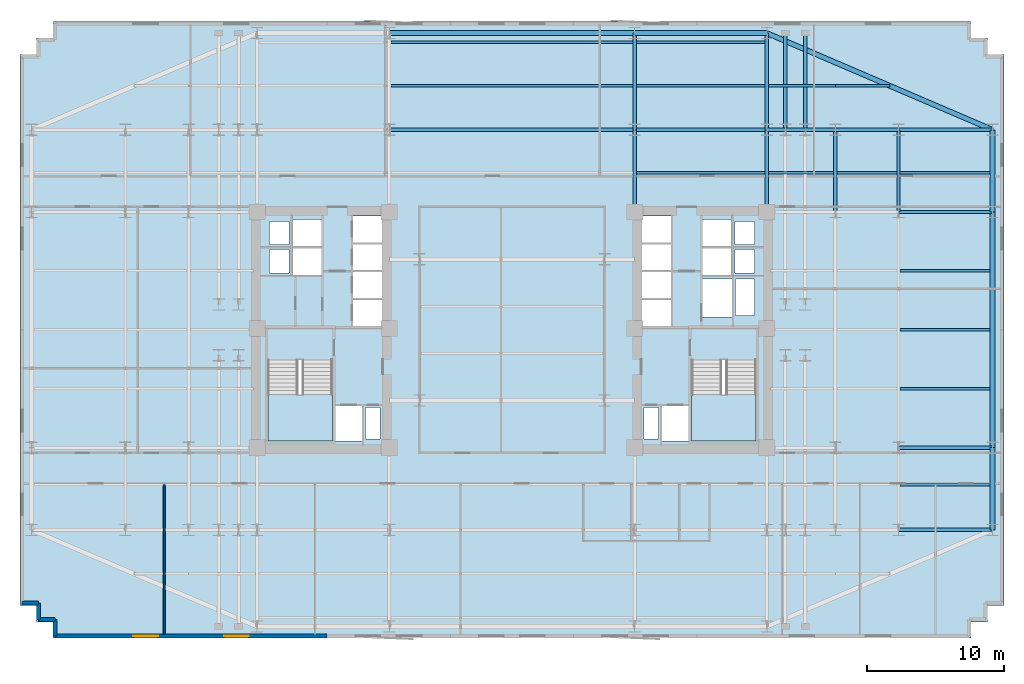
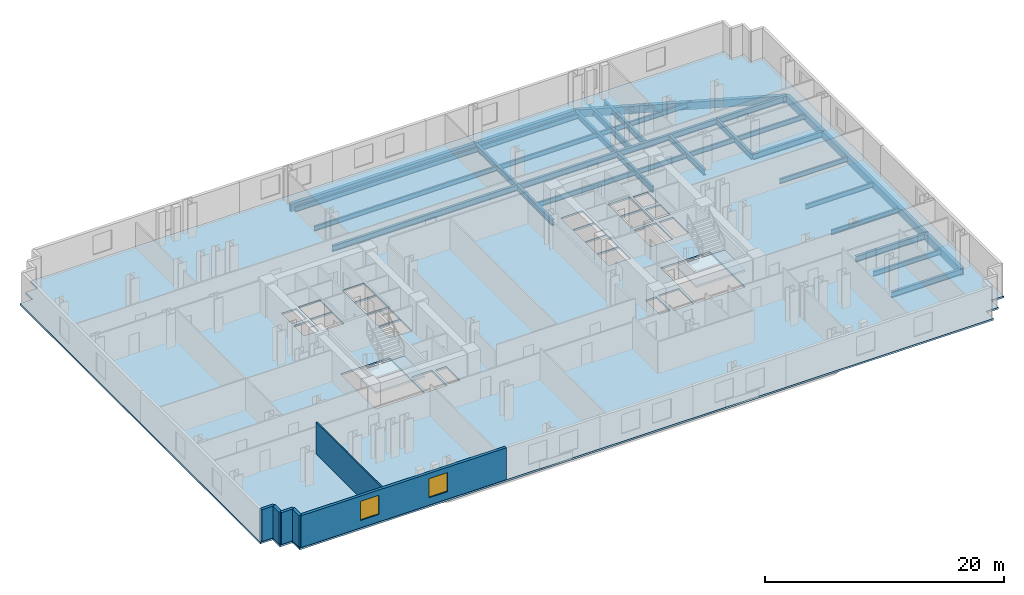
# One storey, part 3 of 10: 36 beams, 6 walls, 3 slabs, 2 windows, 2 openings, 2 elements without a shape of their own.
"""IFC4 building model written with IfcOpenShell, lengths in metres."""

from ifc_helpers import new_model, si_unit, direction, frame, frame_2d, origin, origin_2d, place, context, subcontext, project, spatial, polyline, rectangle, i_section, outline, extrude, material, layer, layer_set, material_profile, profile_set, type_object, element, fill, aggregate, save


model = new_model("IFC4")

# Units and contexts
model_context = context("Model", 3, precision=1e-05, world=origin(), true_north=direction((0.0, 1.0)))
body_context = subcontext(model_context, "Body", "Model", "MODEL_VIEW")
ifc_project = project(units=[si_unit("LENGTHUNIT", "METRE"), si_unit("AREAUNIT", "SQUARE_METRE"), si_unit("VOLUMEUNIT", "CUBIC_METRE"), si_unit("PLANEANGLEUNIT", "RADIAN"), si_unit("MASSUNIT", "GRAM", prefix="KILO")], contexts=[model_context])

# Site, building, storey
site_placement = place(None, origin())
site = spatial("IfcSite", under=ifc_project, at=site_placement, CompositionType="ELEMENT")
building_placement = place(site_placement, origin())
building = spatial("IfcBuilding", under=site, at=building_placement, Name="Velakula Bourse", CompositionType="ELEMENT")
storey_placement = place(building_placement, frame((0.0, 0.0, 45.0)))
storey = spatial("IfcBuildingStorey", under=building, at=storey_placement, Name="L11", CompositionType="ELEMENT", Elevation=45.0)

# Beams
ifc_material_1 = material(Name="Steel IS 2062 Grade 350 (E350)", Category="steel")
ifc_material_profile_1 = material_profile(ifc_material_1, i_section(OverallWidth=0.25, OverallDepth=0.60009765625, WebThickness=0.01171875, FlangeThickness=0.023681640625, at=origin_2d()), Name="Steel IS 2062 Grade 350 (E350)")
ifc_profile_set_1 = profile_set([ifc_material_profile_1], Name="Steel IS 2062 Grade 350 (E350)")
beam_type_1 = type_object("IfcBeamType", Name="BM-GRD-600H", PredefinedType="BEAM", material=ifc_profile_set_1)
for number, where, z_axis, x_axis, name in (
    (1, (8.949951171875, 8.60009765625, -0.47998046875), (0.0, 1.0, 0.0), (-1.0, 0.0, 0.0), "L11 Fulcrum Grid Girder FLC-ECN"),
    (2, (18.60009765625, 8.60009765625, -0.47998046875), (0.0, 1.0, 0.0), (-1.0, 0.0, 0.0), "L11 Fulcrum Grid Girder FLC-EN"),
):
    element("IfcBeam", number, at=place(storey_placement, frame(where, z_axis=z_axis, x_axis=x_axis)), inside=storey, type_object=beam_type_1, Name=name, PredefinedType="BEAM", context=body_context, shape_type="SweptSolid", body=[
        extrude(i_section(OverallWidth=0.25, OverallDepth=0.60009765625, WebThickness=0.01171875, FlangeThickness=0.023681640625, at=origin_2d()), origin(), (0.0, 0.0, 1.0), 6.0),
    ])
beam_1_placement = place(storey_placement, frame((-8.949951171875, 14.60009765625, -0.47998046875), z_axis=(1.0, 0.0, 0.0), x_axis=(0.0, 1.0, 0.0)))
element("IfcBeam", 3, at=beam_1_placement, inside=storey, type_object=beam_type_1, Name="L11 Fulcrum Grid Girder FLC-N2", PredefinedType="BEAM", context=body_context, shape_type="SweptSolid", body=[
    extrude(i_section(OverallWidth=0.25, OverallDepth=0.60009765625, WebThickness=0.01171875, FlangeThickness=0.023681640625, at=origin_2d()), origin(), (0.0, 0.0, 1.0), 17.89990234375),
])
beam_2_placement = place(storey_placement, frame((8.949951171875, 14.60009765625, -0.47998046875), z_axis=(1.0, 0.0, 0.0), x_axis=(0.0, 1.0, 0.0)))
element("IfcBeam", 4, at=beam_2_placement, inside=storey, type_object=beam_type_1, Name="L11 Fulcrum Grid Girder FLC-N3", PredefinedType="BEAM", context=body_context, shape_type="SweptSolid", body=[
    extrude(i_section(OverallWidth=0.25, OverallDepth=0.60009765625, WebThickness=0.01171875, FlangeThickness=0.023681640625, at=origin_2d()), origin(), (0.0, 0.0, 1.0), 9.650146484375),
])
beam_3_placement = place(storey_placement, frame((18.60009765625, 14.60009765625, -0.47998046875), z_axis=(1.0, 0.0, 0.0), x_axis=(0.0, 1.0, 0.0)))
element("IfcBeam", 5, at=beam_3_placement, inside=storey, type_object=beam_type_1, Name="L11 Fulcrum Grid Girder MWG-EN2", PredefinedType="BEAM", context=body_context, shape_type="SweptSolid", body=[
    extrude(i_section(OverallWidth=0.25, OverallDepth=0.60009765625, WebThickness=0.01171875, FlangeThickness=0.023681640625, at=origin_2d()), origin(), (0.0, 0.0, 1.0), 5.0),
])
beam_4_placement = place(storey_placement, frame((23.60009765625, 8.60009765625, -0.47998046875), z_axis=(0.0, 1.0, 0.0), x_axis=(-1.0, 0.0, 0.0)))
element("IfcBeam", 6, at=beam_4_placement, inside=storey, type_object=beam_type_1, Name="L11 Fulcrum Grid Girder MWG-ENS3", PredefinedType="BEAM", context=body_context, shape_type="SweptSolid", body=[
    extrude(i_section(OverallWidth=0.25, OverallDepth=0.60009765625, WebThickness=0.01171875, FlangeThickness=0.023681640625, at=origin_2d()), origin(), (0.0, 0.0, 1.0), 6.0),
])
beam_5_placement = place(storey_placement, frame((23.60009765625, 14.60009765625, -0.47998046875), z_axis=(1.0, 0.0, 0.0), x_axis=(0.0, 1.0, 0.0)))
element("IfcBeam", 7, at=beam_5_placement, inside=storey, type_object=beam_type_1, Name="L11 Fulcrum Grid Girder WNG-EN2", PredefinedType="BEAM", context=body_context, shape_type="SweptSolid", body=[
    extrude(i_section(OverallWidth=0.25, OverallDepth=0.60009765625, WebThickness=0.01171875, FlangeThickness=0.023681640625, at=origin_2d()), origin(), (0.0, 0.0, 1.0), 4.599853515625),
])
beam_6_placement = place(storey_placement, frame((28.199951171875, 8.60009765625, -0.47998046875), z_axis=(0.0, 1.0, 0.0), x_axis=(-1.0, 0.0, 0.0)))
element("IfcBeam", 8, at=beam_6_placement, inside=storey, type_object=beam_type_1, Name="L11 Fulcrum Grid Girder WNG-ENS3", PredefinedType="BEAM", context=body_context, shape_type="SweptSolid", body=[
    extrude(i_section(OverallWidth=0.25, OverallDepth=0.60009765625, WebThickness=0.01171875, FlangeThickness=0.023681640625, at=origin_2d()), origin(), (0.0, 0.0, 1.0), 6.0),
])
for number, where, z_axis, x_axis, name in (
    (9, (8.949951171875, 14.60009765625, -0.47998046875), (0.0, 1.0, 0.0), (-1.0, 0.0, 0.0), "L11 Perimeter Tie Girder N3"),
    (10, (18.60009765625, 14.60009765625, -0.47998046875), (0.0, 1.0, 0.0), (-1.0, 0.0, 0.0), "L11 Perimeter Tie Girder N4"),
):
    element("IfcBeam", number, at=place(storey_placement, frame(where, z_axis=z_axis, x_axis=x_axis)), inside=storey, type_object=beam_type_1, Name=name, PredefinedType="BEAM", context=body_context, shape_type="SweptSolid", body=[
        extrude(i_section(OverallWidth=0.25, OverallDepth=0.60009765625, WebThickness=0.01171875, FlangeThickness=0.023681640625, at=origin_2d()), origin(), (0.0, 0.0, 1.0), 7.0498046875),
    ])
for number, where, z_axis, x_axis, name in (
    (11, (28.199951171875, -14.60009765625, -0.47998046875), (1.0, 0.0, 0.0), (0.0, 1.0, 0.0), "L11 Perimeter Tie Girder E1"),
    (12, (28.199951171875, -8.60009765625, -0.47998046875), (1.0, 0.0, 0.0), (0.0, 1.0, 0.0), "L11 Perimeter Tie Girder E2"),
    (13, (28.199951171875, 8.60009765625, -0.47998046875), (1.0, 0.0, 0.0), (0.0, 1.0, 0.0), "L11 Perimeter Tie Girder E3"),
    (14, (28.199951171875, 14.60009765625, -0.47998046875), (1.0, 0.0, 0.0), (0.0, 1.0, 0.0), "L11 Perimeter Tie Girder E4"),
):
    element("IfcBeam", number, at=place(storey_placement, frame(where, z_axis=z_axis, x_axis=x_axis)), inside=storey, type_object=beam_type_1, Name=name, PredefinedType="BEAM", context=body_context, shape_type="SweptSolid", body=[
        extrude(i_section(OverallWidth=0.25, OverallDepth=0.60009765625, WebThickness=0.01171875, FlangeThickness=0.023681640625, at=origin_2d()), origin(), (0.0, 0.0, 1.0), 6.85009765625),
    ])
for number, where, z_axis, x_axis, name in (
    (15, (19.949951171875, 14.60009765625, -0.47998046875), (0.0, 1.0, 0.0), (-1.0, 0.0, 0.0), "L11 Perimeter Tie Girder P07"),
    (16, (21.39990234375, 14.60009765625, -0.47998046875), (0.0, 1.0, 0.0), (-1.0, 0.0, 0.0), "L11 Perimeter Tie Girder P08"),
):
    element("IfcBeam", number, at=place(storey_placement, frame(where, z_axis=z_axis, x_axis=x_axis)), inside=storey, type_object=beam_type_1, Name=name, PredefinedType="BEAM", context=body_context, shape_type="SweptSolid", body=[
        extrude(i_section(OverallWidth=0.25, OverallDepth=0.60009765625, WebThickness=0.01171875, FlangeThickness=0.023681640625, at=origin_2d()), origin(), (0.0, 0.0, 1.0), 7.0498046875),
    ])
ifc_material_profile_2 = material_profile(ifc_material_1, i_section(OverallWidth=0.179931640625, OverallDepth=0.5, WebThickness=0.01025390625, FlangeThickness=0.01708984375, at=origin_2d()), Name="Steel IS 2062 Grade 350 (E350)")
ifc_profile_set_2 = profile_set([ifc_material_profile_2], Name="Steel IS 2062 Grade 350 (E350)")
beam_type_2 = type_object("IfcBeamType", Name="JST-TWR-500", PredefinedType="JOIST", material=ifc_profile_set_2)
beam_7_placement = place(storey_placement, frame((28.324951171875, -11.300048828125, -0.429931640625), z_axis=(1.0, 0.0, 0.0), x_axis=(0.0, 1.0, 0.0)))
element("IfcBeam", 17, at=beam_7_placement, inside=storey, type_object=beam_type_2, Name="L11 Trading Floor Composite Joist 19", PredefinedType="JOIST", context=body_context, shape_type="SweptSolid", body=[
    extrude(i_section(OverallWidth=0.179931640625, OverallDepth=0.5, WebThickness=0.01025390625, FlangeThickness=0.01708984375, at=origin_2d()), origin(), (0.0, 0.0, 1.0), 6.550048828125),
])
beam_8_placement = place(storey_placement, frame((9.074951171875, 11.449951171875, -0.429931640625), z_axis=(1.0, 0.0, 0.0), x_axis=(0.0, 1.0, 0.0)))
element("IfcBeam", 18, at=beam_8_placement, inside=storey, type_object=beam_type_2, Name="L11 Trading Floor Composite Joist 25", PredefinedType="JOIST", context=body_context, shape_type="SweptSolid", body=[
    extrude(i_section(OverallWidth=0.179931640625, OverallDepth=0.5, WebThickness=0.01025390625, FlangeThickness=0.01708984375, at=origin_2d()), origin(), (0.0, 0.0, 1.0), 9.400146484375),
])
beam_9_placement = place(storey_placement, frame((18.72509765625, 11.449951171875, -0.429931640625), z_axis=(1.0, 0.0, 0.0), x_axis=(0.0, 1.0, 0.0)))
element("IfcBeam", 19, at=beam_9_placement, inside=storey, type_object=beam_type_2, Name="L11 Trading Floor Composite Joist 26", PredefinedType="JOIST", context=body_context, shape_type="SweptSolid", body=[
    extrude(i_section(OverallWidth=0.179931640625, OverallDepth=0.5, WebThickness=0.01025390625, FlangeThickness=0.01708984375, at=origin_2d()), origin(), (0.0, 0.0, 1.0), 4.75),
])
beam_10_placement = place(storey_placement, frame((23.72509765625, 11.449951171875, -0.429931640625), z_axis=(1.0, 0.0, 0.0), x_axis=(0.0, 1.0, 0.0)))
element("IfcBeam", 20, at=beam_10_placement, inside=storey, type_object=beam_type_2, Name="L11 Trading Floor Composite Joist 27", PredefinedType="JOIST", context=body_context, shape_type="SweptSolid", body=[
    extrude(i_section(OverallWidth=0.179931640625, OverallDepth=0.5, WebThickness=0.01025390625, FlangeThickness=0.01708984375, at=origin_2d()), origin(), (0.0, 0.0, 1.0), 4.349853515625),
])
beam_11_placement = place(storey_placement, frame((28.324951171875, 11.449951171875, -0.429931640625), z_axis=(1.0, 0.0, 0.0), x_axis=(0.0, 1.0, 0.0)))
element("IfcBeam", 21, at=beam_11_placement, inside=storey, type_object=beam_type_2, Name="L11 Trading Floor Composite Joist 28", PredefinedType="JOIST", context=body_context, shape_type="SweptSolid", body=[
    extrude(i_section(OverallWidth=0.179931640625, OverallDepth=0.5, WebThickness=0.01025390625, FlangeThickness=0.01708984375, at=origin_2d()), origin(), (0.0, 0.0, 1.0), 6.550048828125),
])
beam_12_placement = place(storey_placement, frame((-8.824951171875, 17.800048828125, -0.429931640625), z_axis=(1.0, 0.0, 0.0), x_axis=(0.0, 1.0, 0.0)))
element("IfcBeam", 22, at=beam_12_placement, inside=storey, type_object=beam_type_2, Name="L11 Trading Floor Composite Joist 32", PredefinedType="JOIST", context=body_context, shape_type="SweptSolid", body=[
    extrude(i_section(OverallWidth=0.179931640625, OverallDepth=0.5, WebThickness=0.01025390625, FlangeThickness=0.01708984375, at=origin_2d()), origin(), (0.0, 0.0, 1.0), 17.64990234375),
])
beam_13_placement = place(storey_placement, frame((9.074951171875, 17.800048828125, -0.429931640625), z_axis=(1.0, 0.0, 0.0), x_axis=(0.0, 1.0, 0.0)))
element("IfcBeam", 23, at=beam_13_placement, inside=storey, type_object=beam_type_2, Name="L11 Trading Floor Composite Joist 33", PredefinedType="JOIST", context=body_context, shape_type="SweptSolid", body=[
    extrude(i_section(OverallWidth=0.179931640625, OverallDepth=0.5, WebThickness=0.01025390625, FlangeThickness=0.01708984375, at=origin_2d()), origin(), (0.0, 0.0, 1.0), 9.400146484375),
])
beam_14_placement = place(storey_placement, frame((18.72509765625, 17.800048828125, -0.429931640625), z_axis=(1.0, 0.0, 0.0), x_axis=(0.0, 1.0, 0.0)))
element("IfcBeam", 24, at=beam_14_placement, inside=storey, type_object=beam_type_2, Name="L11 Trading Floor Composite Joist 34", PredefinedType="JOIST", context=body_context, shape_type="SweptSolid", body=[
    extrude(i_section(OverallWidth=0.179931640625, OverallDepth=0.5, WebThickness=0.01025390625, FlangeThickness=0.01708984375, at=origin_2d()), origin(), (0.0, 0.0, 1.0), 4.875),
])
beam_15_placement = place(storey_placement, frame((23.60009765625, 17.800048828125, -0.429931640625), z_axis=(1.0, 0.0, 0.0), x_axis=(0.0, 1.0, 0.0)))
element("IfcBeam", 25, at=beam_15_placement, inside=storey, type_object=beam_type_2, Name="L11 Trading Floor Composite Joist 35", PredefinedType="JOIST", context=body_context, shape_type="SweptSolid", body=[
    extrude(i_section(OverallWidth=0.179931640625, OverallDepth=0.5, WebThickness=0.01025390625, FlangeThickness=0.01708984375, at=origin_2d()), origin(), (0.0, 0.0, 1.0), 3.983154296875),
])
beam_16_placement = place(storey_placement, frame((-8.824951171875, 21.0, -0.429931640625), z_axis=(1.0, 0.0, 0.0), x_axis=(0.0, 1.0, 0.0)))
element("IfcBeam", 26, at=beam_16_placement, inside=storey, type_object=beam_type_2, Name="L11 Trading Floor Composite Joist 37", PredefinedType="JOIST", context=body_context, shape_type="SweptSolid", body=[
    extrude(i_section(OverallWidth=0.179931640625, OverallDepth=0.5, WebThickness=0.01025390625, FlangeThickness=0.01708984375, at=origin_2d()), origin(), (0.0, 0.0, 1.0), 17.64990234375),
])
beam_17_placement = place(storey_placement, frame((9.074951171875, 21.0, -0.429931640625), z_axis=(1.0, 0.0, 0.0), x_axis=(0.0, 1.0, 0.0)))
element("IfcBeam", 27, at=beam_17_placement, inside=storey, type_object=beam_type_2, Name="L11 Trading Floor Composite Joist 38", PredefinedType="JOIST", context=body_context, shape_type="SweptSolid", body=[
    extrude(i_section(OverallWidth=0.179931640625, OverallDepth=0.5, WebThickness=0.01025390625, FlangeThickness=0.01708984375, at=origin_2d()), origin(), (0.0, 0.0, 1.0), 9.400146484375),
])
for number, where, z_axis, x_axis, name in (
    (28, (28.324951171875, -4.300048828125, -0.429931640625), (1.0, 0.0, 0.0), (0.0, 1.0, 0.0), "L11 Trading Floor Composite Joist 46"),
    (29, (28.324951171875, 0.0, -0.429931640625), (1.0, 0.0, 0.0), (0.0, 1.0, 0.0), "L11 Trading Floor Composite Joist 52"),
    (30, (28.324951171875, 4.300048828125, -0.429931640625), (1.0, 0.0, 0.0), (0.0, 1.0, 0.0), "L11 Trading Floor Composite Joist 58"),
):
    element("IfcBeam", number, at=place(storey_placement, frame(where, z_axis=z_axis, x_axis=x_axis)), inside=storey, type_object=beam_type_2, Name=name, PredefinedType="JOIST", context=body_context, shape_type="SweptSolid", body=[
        extrude(i_section(OverallWidth=0.179931640625, OverallDepth=0.5, WebThickness=0.01025390625, FlangeThickness=0.01708984375, at=origin_2d()), origin(), (0.0, 0.0, 1.0), 6.550048828125),
    ])
ifc_material_2 = material(Name="Precast concrete M45 (fck 45 MPa)", Category="concrete")
ifc_material_profile_3 = material_profile(ifc_material_2, rectangle(XDim=0.35009765625, YDim=0.75, at=origin_2d()), Name="Precast concrete M45 (fck 45 MPa)")
ifc_profile_set_3 = profile_set([ifc_material_profile_3], Name="Precast concrete M45 (fck 45 MPa)")
beam_type_3 = type_object("IfcBeamType", Name="SPN-BRICK-750", PredefinedType="SPANDREL", material=ifc_profile_set_3)
beam_18_placement = place(storey_placement, frame((-8.949951171875, 21.64990234375, -0.554931640625), z_axis=(1.0, 0.0, 0.0), x_axis=(0.0, 1.0, 0.0)))
element("IfcBeam", 31, at=beam_18_placement, inside=storey, type_object=beam_type_3, Name="L11 Brick-Faced Precast Spandrel N2-N3", PredefinedType="SPANDREL", context=body_context, shape_type="SweptSolid", body=[
    extrude(rectangle(XDim=0.35009765625, YDim=0.75, at=origin_2d()), origin(), (0.0, 0.0, 1.0), 17.89990234375),
])
beam_19_placement = place(storey_placement, frame((8.949951171875, 21.64990234375, -0.554931640625), z_axis=(1.0, 0.0, 0.0), x_axis=(0.0, 1.0, 0.0)))
element("IfcBeam", 32, at=beam_19_placement, inside=storey, type_object=beam_type_3, Name="L11 Brick-Faced Precast Spandrel N3-N4", PredefinedType="SPANDREL", context=body_context, shape_type="SweptSolid", body=[
    extrude(rectangle(XDim=0.35009765625, YDim=0.75, at=origin_2d()), origin(), (0.0, 0.0, 1.0), 9.650146484375),
])
beam_20_placement = place(storey_placement, frame((35.050048828125, -14.60009765625, -0.554931640625), z_axis=(0.0, 1.0, 0.0), x_axis=(-1.0, 0.0, 0.0)))
element("IfcBeam", 33, at=beam_20_placement, inside=storey, type_object=beam_type_3, Name="L11 Brick-Faced Precast Spandrel E1-E2", PredefinedType="SPANDREL", context=body_context, shape_type="SweptSolid", body=[
    extrude(rectangle(XDim=0.35009765625, YDim=0.75, at=origin_2d()), origin(), (0.0, 0.0, 1.0), 6.0),
])
beam_21_placement = place(storey_placement, frame((35.050048828125, -8.60009765625, -0.554931640625), z_axis=(0.0, 1.0, 0.0), x_axis=(-1.0, 0.0, 0.0)))
element("IfcBeam", 34, at=beam_21_placement, inside=storey, type_object=beam_type_3, Name="L11 Brick-Faced Precast Spandrel E2-E3", PredefinedType="SPANDREL", context=body_context, shape_type="SweptSolid", body=[
    extrude(rectangle(XDim=0.35009765625, YDim=0.75, at=origin_2d()), origin(), (0.0, 0.0, 1.0), 17.2001953125),
])
beam_22_placement = place(storey_placement, frame((35.050048828125, 8.60009765625, -0.554931640625), z_axis=(0.0, 1.0, 0.0), x_axis=(-1.0, 0.0, 0.0)))
element("IfcBeam", 35, at=beam_22_placement, inside=storey, type_object=beam_type_3, Name="L11 Brick-Faced Precast Spandrel E3-E4", PredefinedType="SPANDREL", context=body_context, shape_type="SweptSolid", body=[
    extrude(rectangle(XDim=0.35009765625, YDim=0.75, at=origin_2d()), origin(), (0.0, 0.0, 1.0), 6.0),
])
beam_23_placement = place(storey_placement, frame((35.050048828125, 14.60009765625, -0.554931640625), z_axis=(-0.919148557947, 0.393911066642, 0.0), x_axis=(-0.393911066642, -0.919148557947, 0.0)))
element("IfcBeam", 36, at=beam_23_placement, inside=storey, type_object=beam_type_3, Name="L11 Brick-Faced Precast Spandrel E4-N4", PredefinedType="SPANDREL", context=body_context, shape_type="SweptSolid", body=[
    extrude(rectangle(XDim=0.35009765625, YDim=0.75, at=origin_2d()), origin(), (0.0, 0.0, 1.0), 17.89697265625),
])

# Stair, slab
ifc_material_3 = material(Name="Concrete M45 (fck 45 MPa)", Category="concrete")
stair_type = type_object("IfcStairType", Name="STR-DOG-390", PredefinedType="HALF_TURN_STAIR", material=ifc_material_3)
stair_1_placement = place(storey_placement, origin())
stair_1 = element("IfcStair", 37, at=stair_1_placement, inside=storey, type_object=stair_type, Name="L11 West Core Exit Stair ST-W1", PredefinedType="HALF_TURN_STAIR")
ifc_layer_1 = layer(ifc_material_3, 0.199951171875, Name="Concrete M45 (fck 45 MPa)", Category="concrete")
ifc_layer_set_1 = layer_set([ifc_layer_1], Name="Concrete M45 (fck 45 MPa)")
slab_type_1 = type_object("IfcSlabType", Name="SLB-STAIR-LND-200", PredefinedType="LANDING", material=ifc_layer_set_1)
slab_1_placement = place(storey_placement, frame((0.0, 0.0, 1.52490234375)))
slab_1 = element("IfcSlab", 38, at=slab_1_placement, type_object=slab_type_1, Name="ST-W1 landing 1", PredefinedType="LANDING", context=body_context, shape_type="SweptSolid", body=[
    extrude(outline(polyline([(-17.820068359375, -4.719970703125), (-17.820068359375, -8.10009765625), (-13.10009765625, -8.10009765625), (-13.10009765625, -4.719970703125), (-17.820068359375, -4.719970703125)])), origin(), (0.0, 0.0, 1.0), 0.2001953125),
])
aggregate(stair_1, [slab_1])

stair_2_placement = place(storey_placement, origin())
stair_2 = element("IfcStair", 39, at=stair_2_placement, inside=storey, type_object=stair_type, Name="L11 East Core Exit Stair ST-E1", PredefinedType="HALF_TURN_STAIR")
slab_2_placement = place(storey_placement, frame((0.0, 0.0, 1.52490234375)))
slab_2 = element("IfcSlab", 40, at=slab_2_placement, type_object=slab_type_1, Name="ST-E1 landing 1", PredefinedType="LANDING", context=body_context, shape_type="SweptSolid", body=[
    extrude(outline(polyline([(13.10009765625, -4.719970703125), (13.10009765625, -8.10009765625), (17.820068359375, -8.10009765625), (17.820068359375, -4.719970703125), (13.10009765625, -4.719970703125)])), origin(), (0.0, 0.0, 1.0), 0.2001953125),
])
aggregate(stair_2, [slab_2])

# Slab
ifc_material_4 = material(Name="Concrete M50 (fck 50 MPa)", Category="concrete")
ifc_layer_2 = layer(ifc_material_4, 0.179931640625, Name="Concrete M50 (fck 50 MPa)", Category="concrete")
ifc_layer_set_2 = layer_set([ifc_layer_2], Name="Concrete M50 (fck 50 MPa)")
slab_type_2 = type_object("IfcSlabType", Name="SLB-TWR-180", PredefinedType="FLOOR", material=ifc_layer_set_2)
slab_3_placement = place(storey_placement, frame((0.0, 0.0, -0.179931640625)))
element("IfcSlab", 41, at=slab_3_placement, inside=storey, type_object=slab_type_2, Name="L11 Suspended Structural Floor Slab", PredefinedType="FLOOR", context=body_context, shape_type="SweptSolid", body=[
    extrude(outline(polyline([(-33.5, -22.5), (33.5, -22.5), (33.5, -21.300048828125), (34.699951171875, -21.300048828125), (34.699951171875, -20.10009765625), (35.89990234375, -20.10009765625), (35.89990234375, 20.10009765625), (34.699951171875, 20.10009765625), (34.699951171875, 21.300048828125), (33.5, 21.300048828125), (33.5, 22.5), (-33.5, 22.5), (-33.5, 21.300048828125), (-34.699951171875, 21.300048828125), (-34.699951171875, 20.10009765625), (-35.89990234375, 20.10009765625), (-35.89990234375, -20.10009765625), (-34.699951171875, -20.10009765625), (-34.699951171875, -21.300048828125), (-33.5, -21.300048828125), (-33.5, -22.5)]), holes=[polyline([(-17.820068359375, -8.10009765625), (-13.10009765625, -8.10009765625), (-13.10009765625, -2.199951171875), (-17.820068359375, -2.199951171875), (-17.820068359375, -8.10009765625)]), polyline([(13.10009765625, -8.10009765625), (17.820068359375, -8.10009765625), (17.820068359375, -2.199951171875), (13.10009765625, -2.199951171875), (13.10009765625, -8.10009765625)]), polyline([(-12.89990234375, -8.10009765625), (-10.949951171875, -8.10009765625), (-10.949951171875, -5.550048828125), (-12.89990234375, -5.550048828125), (-12.89990234375, -8.10009765625)]), polyline([(10.949951171875, -8.10009765625), (12.89990234375, -8.10009765625), (12.89990234375, -5.550048828125), (10.949951171875, -5.550048828125), (10.949951171875, -8.10009765625)]), polyline([(13.89990234375, 0.919921875), (16.050048828125, 0.919921875), (16.050048828125, 3.719970703125), (13.89990234375, 3.719970703125), (13.89990234375, 0.919921875)]), polyline([(-10.679931640625, -7.97998046875), (-9.6201171875, -7.97998046875), (-9.6201171875, -5.669921875), (-10.679931640625, -5.669921875), (-10.679931640625, -7.97998046875)]), polyline([(-17.679931640625, 4.139892578125), (-16.27001953125, 4.139892578125), (-16.27001953125, 5.85009765625), (-17.679931640625, 5.85009765625), (-17.679931640625, 4.139892578125)]), polyline([(-17.679931640625, 6.2099609375), (-16.27001953125, 6.2099609375), (-16.27001953125, 7.919921875), (-17.679931640625, 7.919921875), (-17.679931640625, 6.2099609375)]), polyline([(9.6201171875, -7.97998046875), (10.679931640625, -7.97998046875), (10.679931640625, -5.669921875), (9.6201171875, -5.669921875), (9.6201171875, -7.97998046875)]), polyline([(16.27001953125, 4.139892578125), (17.679931640625, 4.139892578125), (17.679931640625, 5.85009765625), (16.27001953125, 5.85009765625), (16.27001953125, 4.139892578125)]), polyline([(16.27001953125, 6.2099609375), (17.679931640625, 6.2099609375), (17.679931640625, 7.919921875), (16.27001953125, 7.919921875), (16.27001953125, 6.2099609375)]), polyline([(16.320068359375, 1.0400390625), (17.679931640625, 1.0400390625), (17.679931640625, 3.699951171875), (16.320068359375, 3.699951171875), (16.320068359375, 1.0400390625)]), polyline([(-11.60009765625, 0.280029296875), (-9.5, 0.280029296875), (-9.5, 2.199951171875), (-11.60009765625, 2.199951171875), (-11.60009765625, 0.280029296875)]), polyline([(-11.60009765625, 2.31005859375), (-9.5, 2.31005859375), (-9.5, 4.22998046875), (-11.60009765625, 4.22998046875), (-11.60009765625, 2.31005859375)]), polyline([(-11.60009765625, 4.340087890625), (-9.5, 4.340087890625), (-9.5, 6.260009765625), (-11.60009765625, 6.260009765625), (-11.60009765625, 4.340087890625)]), polyline([(-11.60009765625, 6.3701171875), (-9.5, 6.3701171875), (-9.5, 8.2900390625), (-11.60009765625, 8.2900390625), (-11.60009765625, 6.3701171875)]), polyline([(9.5, 0.280029296875), (11.60009765625, 0.280029296875), (11.60009765625, 2.199951171875), (9.5, 2.199951171875), (9.5, 0.280029296875)]), polyline([(9.5, 2.31005859375), (11.60009765625, 2.31005859375), (11.60009765625, 4.22998046875), (9.5, 4.22998046875), (9.5, 2.31005859375)]), polyline([(9.5, 4.340087890625), (11.60009765625, 4.340087890625), (11.60009765625, 6.260009765625), (9.5, 6.260009765625), (9.5, 4.340087890625)]), polyline([(9.5, 6.3701171875), (11.60009765625, 6.3701171875), (11.60009765625, 8.2900390625), (9.5, 8.2900390625), (9.5, 6.3701171875)]), polyline([(-16.0, 4.02001953125), (-13.89990234375, 4.02001953125), (-13.89990234375, 5.969970703125), (-16.0, 5.969970703125), (-16.0, 4.02001953125)]), polyline([(-16.0, 6.090087890625), (-13.89990234375, 6.090087890625), (-13.89990234375, 8.0400390625), (-16.0, 8.0400390625), (-16.0, 6.090087890625)]), polyline([(13.89990234375, 4.02001953125), (16.0, 4.02001953125), (16.0, 5.969970703125), (13.89990234375, 5.969970703125), (13.89990234375, 4.02001953125)]), polyline([(13.89990234375, 6.090087890625), (16.0, 6.090087890625), (16.0, 8.0400390625), (13.89990234375, 8.0400390625), (13.89990234375, 6.090087890625)])]), origin(), (0.0, 0.0, 1.0), 0.179931640625),
])

# Wall, openings, windows
ifc_material_5 = material(Name="Red kilned clay facing brick masonry", Category="masonry")
ifc_layer_3 = layer(ifc_material_5, 0.280029296875, Name="Red kilned clay facing brick masonry", Category="masonry")
ifc_layer_set_3 = layer_set([ifc_layer_3], Name="Red kilned clay facing brick masonry")
wall_type_1 = type_object("IfcWallType", Name="WL-EXT-BRK-280", PredefinedType="STANDARD", material=ifc_layer_set_3)
wall_1_placement = place(storey_placement, frame((-13.5, -22.340087890625, 0.0), z_axis=(0.0, 0.0, 1.0), x_axis=(-1.0, 0.0, 0.0)))
wall_1 = element("IfcWall", 42, at=wall_1_placement, inside=storey, type_object=wall_type_1, Name="L11 S Brick Spandrel Wall B1", PredefinedType="STANDARD", context=body_context, shape_type="SweptSolid", body=[
    extrude(rectangle(XDim=19.840087890625, YDim=0.280029296875, at=frame_2d((9.919921875, 0.0))), origin(), (0.0, 0.0, 1.0), 3.25),
])
opening_1_placement = place(wall_1_placement, frame((5.71337890625, 0.0, 0.760009765625)))
opening_1 = element("IfcOpeningElement", 43, at=opening_1_placement, cuts=wall_1, Name="Opening W-01", PredefinedType="OPENING", context=body_context, shape_type="SweptSolid", body=[
    extrude(rectangle(XDim=1.800048828125, YDim=1.949951171875, at=frame_2d((0.89990234375, 0.97509765625))), frame((0.0, 0.14990234375, 0.0), z_axis=(0.0, -1.0, 0.0), x_axis=(1.0, 0.0, 0.0)), (0.0, 0.0, 1.0), 0.300048828125),
])
opening_2_placement = place(wall_1_placement, frame((12.32666015625, 0.0, 0.760009765625)))
opening_2 = element("IfcOpeningElement", 44, at=opening_2_placement, cuts=wall_1, Name="Opening W-01", PredefinedType="OPENING", context=body_context, shape_type="SweptSolid", body=[
    extrude(rectangle(XDim=1.800048828125, YDim=1.949951171875, at=frame_2d((0.89990234375, 0.97509765625))), frame((0.0, 0.14990234375, 0.0), z_axis=(0.0, -1.0, 0.0), x_axis=(1.0, 0.0, 0.0)), (0.0, 0.0, 1.0), 0.300048828125),
])
ifc_material_6 = material(Name="Double-glazed solar-control Low-E glass", Category="glass")
window_type = type_object("IfcWindowType", Name="WIN-TWR-1800x2100", PartitioningType="SINGLE_PANEL", PredefinedType="WINDOW", material=ifc_material_6)
window_1_placement = place(opening_1_placement, origin())
window_1 = element("IfcWindow", 45, at=window_1_placement, inside=storey, type_object=window_type, Name="L11 Deep-Set Recessed Window 1", OverallHeight=1.949951171875, OverallWidth=1.800048828125, PartitioningType="SINGLE_PANEL", PredefinedType="WINDOW", context=body_context, shape_type="SweptSolid", body=[
    extrude(rectangle(XDim=1.800048828125, YDim=1.949951171875, at=frame_2d((0.89990234375, 0.97509765625))), frame((0.0, 0.030029296875, 0.0), z_axis=(0.0, -1.0, 0.0), x_axis=(1.0, 0.0, 0.0)), (0.0, 0.0, 1.0), 0.06005859375),
])
fill(opening_1, window_1)
window_2_placement = place(opening_2_placement, origin())
window_2 = element("IfcWindow", 46, at=window_2_placement, inside=storey, type_object=window_type, Name="L11 Deep-Set Recessed Window 2", OverallHeight=1.949951171875, OverallWidth=1.800048828125, PartitioningType="SINGLE_PANEL", PredefinedType="WINDOW", context=body_context, shape_type="SweptSolid", body=[
    extrude(rectangle(XDim=1.800048828125, YDim=1.949951171875, at=frame_2d((0.89990234375, 0.97509765625))), frame((0.0, 0.030029296875, 0.0), z_axis=(0.0, -1.0, 0.0), x_axis=(1.0, 0.0, 0.0)), (0.0, 0.0, 1.0), 0.06005859375),
])
fill(opening_2, window_2)

# Walls
for number, where, z_axis, x_axis, name in (
    (47, (-35.739990234375, -19.93994140625, 0.0), (0.0, 0.0, 1.0), (1.0, 0.0, 0.0), "L11 Serrated Corner Brick Wall SW-1"),
    (48, (-34.5400390625, -19.93994140625, 0.0), (0.0, 0.0, 1.0), (0.0, -1.0, 0.0), "L11 Serrated Corner Brick Wall SW-2"),
    (49, (-34.5400390625, -21.139892578125, 0.0), (0.0, 0.0, 1.0), (1.0, 0.0, 0.0), "L11 Serrated Corner Brick Wall SW-3"),
):
    element("IfcWall", number, at=place(storey_placement, frame(where, z_axis=z_axis, x_axis=x_axis)), inside=storey, type_object=wall_type_1, Name=name, PredefinedType="STANDARD", context=body_context, shape_type="SweptSolid", body=[
        extrude(rectangle(XDim=1.199951171875, YDim=0.280029296875, at=frame_2d((0.60009765625, 0.0))), origin(), (0.0, 0.0, 1.0), 3.25),
    ])
wall_2_placement = place(storey_placement, frame((-33.340087890625, -21.139892578125, 0.0), z_axis=(0.0, 0.0, 1.0), x_axis=(0.0, -1.0, 0.0)))
element("IfcWall", 50, at=wall_2_placement, inside=storey, type_object=wall_type_1, Name="L11 Serrated Corner Brick Wall SW-4", PredefinedType="STANDARD", context=body_context, shape_type="SweptSolid", body=[
    extrude(rectangle(XDim=1.2001953125, YDim=0.280029296875, at=frame_2d((0.60009765625, 0.0))), origin(), (0.0, 0.0, 1.0), 3.25),
])
ifc_material_7 = material(Name="Fire-rated double-layer gypsum drywall partition", Category="gypsum")
ifc_layer_4 = layer(ifc_material_7, 0.1201171875, Name="Fire-rated double-layer gypsum drywall partition", Category="gypsum")
ifc_layer_set_4 = layer_set([ifc_layer_4], Name="Fire-rated double-layer gypsum drywall partition")
wall_type_2 = type_object("IfcWallType", Name="WL-PART-120", PredefinedType="STANDARD", material=ifc_layer_set_4)
wall_3_placement = place(storey_placement, frame((-25.3701171875, -22.219970703125, 0.0), z_axis=(0.0, 0.0, 1.0), x_axis=(0.0, 1.0, 0.0)))
element("IfcWall", 51, at=wall_3_placement, inside=storey, type_object=wall_type_2, Name="L11 Interior Partition WL-INT-L11-SL-D5", PredefinedType="STANDARD", context=body_context, shape_type="SweptSolid", body=[
    extrude(rectangle(XDim=10.929931640625, YDim=0.1201171875, at=frame_2d((5.46484375, 0.0))), origin(), (0.0, 0.0, 1.0), 3.25),
])

save(model, "model.ifc")
